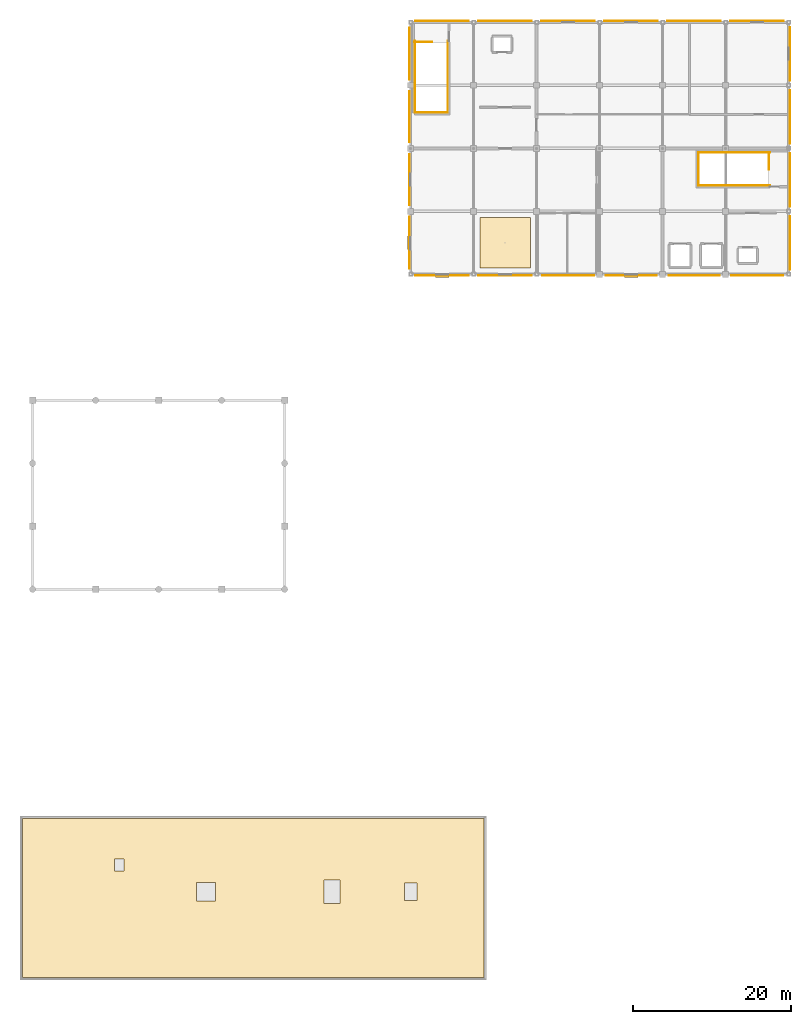
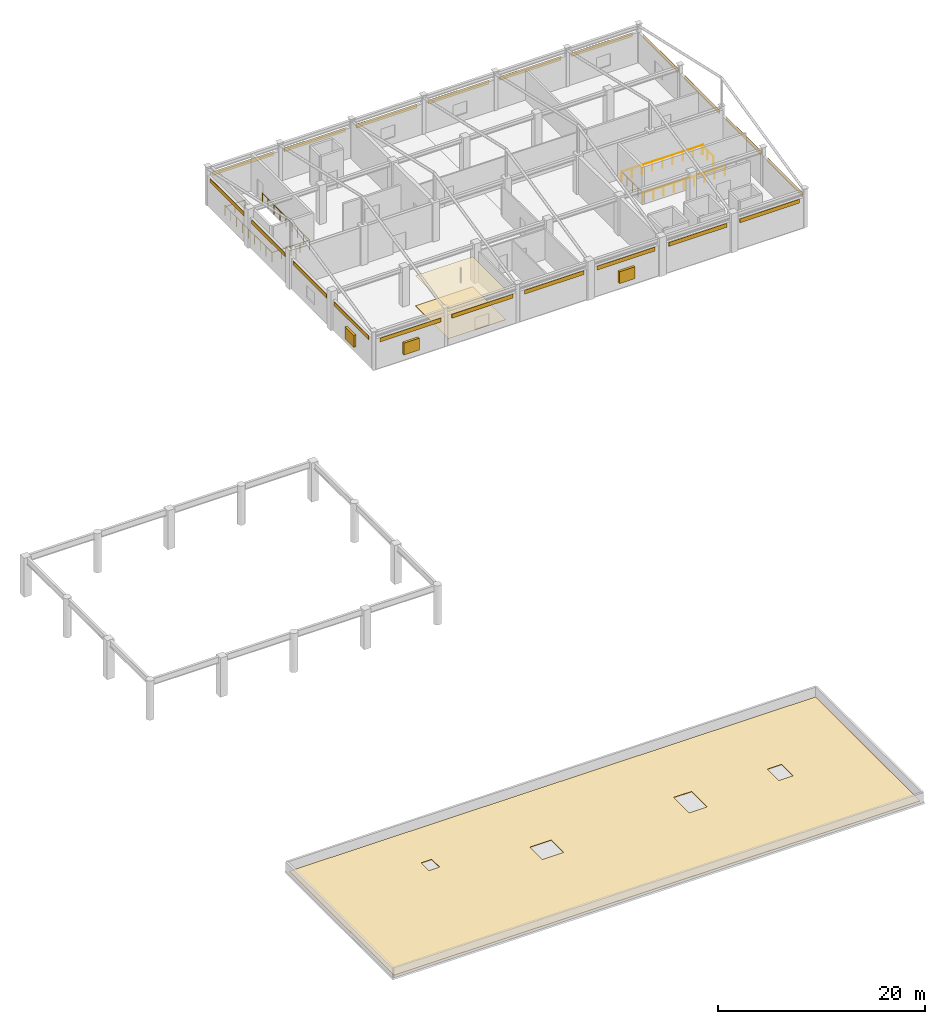
# One storey, part 16 of 16: 23 coverings, 8 railings, 3 shading devices.
"""IFC4 building model written with IfcOpenShell, lengths in metres."""

from ifc_helpers import new_model, si_unit, direction, frame, origin, origin_2d, place, context, subcontext, project, spatial, polyline, rectangle, circle, outline, extrude, material, layer, layer_set, type_object, element, save


model = new_model("IFC4")

# Units and contexts
model_context = context("Model", 3, precision=1e-05, world=origin(), true_north=direction((0.0, 1.0)))
body_context = subcontext(model_context, "Body", "Model", "MODEL_VIEW")
ifc_project = project(units=[si_unit("LENGTHUNIT", "METRE"), si_unit("AREAUNIT", "SQUARE_METRE"), si_unit("VOLUMEUNIT", "CUBIC_METRE"), si_unit("PLANEANGLEUNIT", "RADIAN"), si_unit("MASSUNIT", "GRAM", prefix="KILO")], contexts=[model_context])

# Site, building, storey
site_placement = place(None, origin())
site = spatial("IfcSite", under=ifc_project, at=site_placement, CompositionType="ELEMENT")
building_placement = place(site_placement, origin())
building = spatial("IfcBuilding", under=site, at=building_placement, Name="Solmirada Galleria", CompositionType="ELEMENT")
storey_placement = place(building_placement, frame((0.0, 0.0, 32.89990234375)))
storey = spatial("IfcBuildingStorey", under=building, at=storey_placement, Name="L07", CompositionType="ELEMENT", Elevation=32.89990234375)

# Coverings
ifc_material_1 = material(Name="Perforated acoustic mineral-fibre ceiling")
ifc_layer_1 = layer(ifc_material_1, 0.02490234375)
ifc_layer_set_1 = layer_set([ifc_layer_1], Name="Perforated acoustic mineral-fibre ceiling")
covering_type_1 = type_object("IfcCoveringType", Name="COV-CEIL-ACOUST", PredefinedType="CEILING", material=ifc_layer_set_1)
covering_1_placement = place(storey_placement, frame((0.0, 0.0, 3.550048828125)))
element("IfcCovering", 1, at=covering_1_placement, inside=storey, type_object=covering_type_1, Name="Acoustic ceiling panel L07-3", PredefinedType="CEILING", context=body_context, shape_type="SweptSolid", body=[
    extrude(outline(polyline([(136.800048828125, 88.800048828125), (143.199951171875, 88.800048828125), (143.199951171875, 95.199951171875), (136.800048828125, 95.199951171875), (136.800048828125, 88.800048828125)])), origin(), (0.0, 0.0, 1.0), 0.025146484375),
])
ifc_material_2 = material(Name="Limestone cladding panels", Category="masonry")
ifc_layer_2 = layer(ifc_material_2, 0.044921875)
ifc_layer_set_2 = layer_set([ifc_layer_2], Name="Limestone cladding panels")
covering_type_2 = type_object("IfcCoveringType", Name="COV-CLAD-LIME", PredefinedType="CLADDING", material=ifc_layer_set_2)
covering_2_placement = place(storey_placement, frame((127.842529296875, 100.0, 3.090087890625), z_axis=(0.0, 0.0, 1.0), x_axis=(0.0, 1.0, 0.0)))
element("IfcCovering", 2, at=covering_2_placement, inside=storey, type_object=covering_type_2, Name="Postmodern facade cladding L07-413", PredefinedType="CLADDING", context=body_context, shape_type="SweptSolid", body=[
    extrude(rectangle(XDim=6.449951171875, YDim=0.044921875, at=origin_2d()), origin(), (0.0, 0.0, 1.0), 0.4599609375),
])
covering_3_placement = place(storey_placement, frame((127.842529296875, 116.0, 3.090087890625), z_axis=(0.0, 0.0, 1.0), x_axis=(0.0, 1.0, 0.0)))
element("IfcCovering", 3, at=covering_3_placement, inside=storey, type_object=covering_type_2, Name="Postmodern facade cladding L07-415", PredefinedType="CLADDING", context=body_context, shape_type="SweptSolid", body=[
    extrude(rectangle(XDim=6.6220703125, YDim=0.044921875, at=origin_2d()), origin(), (0.0, 0.0, 1.0), 0.4599609375),
])
for number, where, z_axis, x_axis, name in (
    (4, (140.0, 120.157470703125, 3.090087890625), (0.0, 0.0, 1.0), (1.0, 0.0, 0.0), "Postmodern facade cladding L07-417"),
    (5, (156.0, 120.157470703125, 3.090087890625), (0.0, 0.0, 1.0), (1.0, 0.0, 0.0), "Postmodern facade cladding L07-419"),
    (6, (172.0, 120.157470703125, 3.090087890625), (0.0, 0.0, 1.0), (1.0, 0.0, 0.0), "Postmodern facade cladding L07-421"),
    (7, (176.157470703125, 108.0, 3.090087890625), (0.0, 0.0, 1.0), (0.0, -1.0, 0.0), "Postmodern facade cladding L07-423"),
    (8, (176.157470703125, 92.0, 3.090087890625), (0.0, 0.0, 1.0), (0.0, -1.0, 0.0), "Postmodern facade cladding L07-425"),
):
    element("IfcCovering", number, at=place(storey_placement, frame(where, z_axis=z_axis, x_axis=x_axis)), inside=storey, type_object=covering_type_2, Name=name, PredefinedType="CLADDING", context=body_context, shape_type="SweptSolid", body=[
        extrude(rectangle(XDim=6.7939453125, YDim=0.044921875, at=origin_2d()), origin(), (0.0, 0.0, 1.0), 0.4599609375),
    ])
covering_4_placement = place(storey_placement, frame((164.0, 87.842529296875, 3.090087890625), z_axis=(0.0, 0.0, 1.0), x_axis=(-1.0, 0.0, 0.0)))
element("IfcCovering", 9, at=covering_4_placement, inside=storey, type_object=covering_type_2, Name="Postmodern facade cladding L07-427", PredefinedType="CLADDING", context=body_context, shape_type="SweptSolid", body=[
    extrude(rectangle(XDim=6.449951171875, YDim=0.044921875, at=origin_2d()), origin(), (0.0, 0.0, 1.0), 0.4599609375),
])
covering_5_placement = place(storey_placement, frame((148.0, 87.842529296875, 3.090087890625), z_axis=(0.0, 0.0, 1.0), x_axis=(-1.0, 0.0, 0.0)))
element("IfcCovering", 10, at=covering_5_placement, inside=storey, type_object=covering_type_2, Name="Postmodern facade cladding L07-429", PredefinedType="CLADDING", context=body_context, shape_type="SweptSolid", body=[
    extrude(rectangle(XDim=6.6220703125, YDim=0.044921875, at=origin_2d()), origin(), (0.0, 0.0, 1.0), 0.4599609375),
])
covering_6_placement = place(storey_placement, frame((132.0, 87.842529296875, 3.090087890625), z_axis=(0.0, 0.0, 1.0), x_axis=(-1.0, 0.0, 0.0)))
element("IfcCovering", 11, at=covering_6_placement, inside=storey, type_object=covering_type_2, Name="Postmodern facade cladding L07-431", PredefinedType="CLADDING", context=body_context, shape_type="SweptSolid", body=[
    extrude(rectangle(XDim=6.7939453125, YDim=0.044921875, at=origin_2d()), origin(), (0.0, 0.0, 1.0), 0.4599609375),
])
ifc_material_3 = material(Name="Glazed terracotta facade panels", Category="masonry")
ifc_layer_3 = layer(ifc_material_3, 0.0400390625)
ifc_layer_set_3 = layer_set([ifc_layer_3], Name="Glazed terracotta facade panels")
covering_type_3 = type_object("IfcCoveringType", Name="COV-CLAD-TERRA", PredefinedType="CLADDING", material=ifc_layer_set_3)
covering_7_placement = place(storey_placement, frame((127.844970703125, 92.0, 3.090087890625), z_axis=(0.0, 0.0, 1.0), x_axis=(0.0, 1.0, 0.0)))
element("IfcCovering", 12, at=covering_7_placement, inside=storey, type_object=covering_type_3, Name="Postmodern facade cladding L07-412", PredefinedType="CLADDING", context=body_context, shape_type="SweptSolid", body=[
    extrude(rectangle(XDim=6.6220703125, YDim=0.0400390625, at=origin_2d()), origin(), (0.0, 0.0, 1.0), 0.4599609375),
])
covering_8_placement = place(storey_placement, frame((127.844970703125, 108.0, 3.090087890625), z_axis=(0.0, 0.0, 1.0), x_axis=(0.0, 1.0, 0.0)))
element("IfcCovering", 13, at=covering_8_placement, inside=storey, type_object=covering_type_3, Name="Postmodern facade cladding L07-414", PredefinedType="CLADDING", context=body_context, shape_type="SweptSolid", body=[
    extrude(rectangle(XDim=6.449951171875, YDim=0.0400390625, at=origin_2d()), origin(), (0.0, 0.0, 1.0), 0.4599609375),
])
for number, where, z_axis, x_axis, name in (
    (14, (132.0, 120.155029296875, 3.090087890625), (0.0, 0.0, 1.0), (1.0, 0.0, 0.0), "Postmodern facade cladding L07-416"),
    (15, (148.0, 120.155029296875, 3.090087890625), (0.0, 0.0, 1.0), (1.0, 0.0, 0.0), "Postmodern facade cladding L07-418"),
    (16, (164.0, 120.155029296875, 3.090087890625), (0.0, 0.0, 1.0), (1.0, 0.0, 0.0), "Postmodern facade cladding L07-420"),
    (17, (176.155029296875, 116.0, 3.090087890625), (0.0, 0.0, 1.0), (0.0, -1.0, 0.0), "Postmodern facade cladding L07-422"),
    (18, (176.155029296875, 100.0, 3.090087890625), (0.0, 0.0, 1.0), (0.0, -1.0, 0.0), "Postmodern facade cladding L07-424"),
):
    element("IfcCovering", number, at=place(storey_placement, frame(where, z_axis=z_axis, x_axis=x_axis)), inside=storey, type_object=covering_type_3, Name=name, PredefinedType="CLADDING", context=body_context, shape_type="SweptSolid", body=[
        extrude(rectangle(XDim=6.7939453125, YDim=0.0400390625, at=origin_2d()), origin(), (0.0, 0.0, 1.0), 0.4599609375),
    ])
covering_9_placement = place(storey_placement, frame((172.0, 87.844970703125, 3.090087890625), z_axis=(0.0, 0.0, 1.0), x_axis=(-1.0, 0.0, 0.0)))
element("IfcCovering", 19, at=covering_9_placement, inside=storey, type_object=covering_type_3, Name="Postmodern facade cladding L07-426", PredefinedType="CLADDING", context=body_context, shape_type="SweptSolid", body=[
    extrude(rectangle(XDim=6.6220703125, YDim=0.0400390625, at=origin_2d()), origin(), (0.0, 0.0, 1.0), 0.4599609375),
])
covering_10_placement = place(storey_placement, frame((156.0, 87.844970703125, 3.090087890625), z_axis=(0.0, 0.0, 1.0), x_axis=(-1.0, 0.0, 0.0)))
element("IfcCovering", 20, at=covering_10_placement, inside=storey, type_object=covering_type_3, Name="Postmodern facade cladding L07-428", PredefinedType="CLADDING", context=body_context, shape_type="SweptSolid", body=[
    extrude(rectangle(XDim=6.449951171875, YDim=0.0400390625, at=origin_2d()), origin(), (0.0, 0.0, 1.0), 0.4599609375),
])
covering_11_placement = place(storey_placement, frame((140.0, 87.844970703125, 3.090087890625), z_axis=(0.0, 0.0, 1.0), x_axis=(-1.0, 0.0, 0.0)))
element("IfcCovering", 21, at=covering_11_placement, inside=storey, type_object=covering_type_3, Name="Postmodern facade cladding L07-430", PredefinedType="CLADDING", context=body_context, shape_type="SweptSolid", body=[
    extrude(rectangle(XDim=6.7939453125, YDim=0.0400390625, at=origin_2d()), origin(), (0.0, 0.0, 1.0), 0.4599609375),
])
ifc_material_4 = material(Name="Polished terrazzo and porcelain tile flooring")
ifc_layer_4 = layer(ifc_material_4, 0.030029296875)
ifc_layer_set_4 = layer_set([ifc_layer_4], Name="Polished terrazzo and porcelain tile flooring")
covering_type_4 = type_object("IfcCoveringType", Name="COV-FLOOR-TERRAZ", PredefinedType="FLOORING", material=ifc_layer_set_4)
covering_12_placement = place(storey_placement, origin())
element("IfcCovering", 22, at=covering_12_placement, inside=storey, type_object=covering_type_4, Name="Terrazzo floor finish L07-3", PredefinedType="FLOORING", context=body_context, shape_type="SweptSolid", body=[
    extrude(outline(polyline([(136.800048828125, 88.800048828125), (143.199951171875, 88.800048828125), (143.199951171875, 95.199951171875), (136.800048828125, 95.199951171875), (136.800048828125, 88.800048828125)])), origin(), (0.0, 0.0, 1.0), 0.030029296875),
])
ifc_material_5 = material(Name="Insulated TPO and standing-seam roofing membrane")
ifc_layer_5 = layer(ifc_material_5, 0.06005859375)
ifc_layer_set_5 = layer_set([ifc_layer_5], Name="Insulated TPO and standing-seam roofing membrane")
covering_type_5 = type_object("IfcCoveringType", Name="COV-ROOF-MEM", PredefinedType="ROOFING", material=ifc_layer_set_5)
covering_13_placement = place(storey_placement, origin())
element("IfcCovering", 23, at=covering_13_placement, inside=storey, type_object=covering_type_5, Name="Insulated roof membrane ROOF-SOUTH-MAIN", PredefinedType="ROOFING", context=body_context, shape_type="SweptSolid", body=[
    extrude(outline(polyline([(78.699951171875, -1.300048828125), (137.300048828125, -1.300048828125), (137.300048828125, 18.89990234375), (78.699951171875, 18.89990234375), (78.699951171875, -1.300048828125)]), holes=[polyline([(100.800048828125, 8.39990234375), (103.199951171875, 8.39990234375), (103.199951171875, 10.800048828125), (100.800048828125, 10.800048828125), (100.800048828125, 8.39990234375)]), polyline([(117.0, 8.10009765625), (119.0, 8.10009765625), (119.0, 11.10009765625), (117.0, 11.10009765625), (117.0, 8.10009765625)]), polyline([(127.199951171875, 8.5), (128.800048828125, 8.5), (128.800048828125, 10.699951171875), (127.199951171875, 10.699951171875), (127.199951171875, 8.5)]), polyline([(90.39990234375, 12.25), (91.60009765625, 12.25), (91.60009765625, 13.75), (90.39990234375, 13.75), (90.39990234375, 12.25)])]), origin(), (0.0, 0.0, 1.0), 0.06005859375),
])

# Railings
ifc_material_6 = material(Name="Painted steel tubular railing", Category="steel")
railing_type = type_object("IfcRailingType", Name="RAIL-STAIR-GUARD", PredefinedType="GUARDRAIL", material=ifc_material_6)
railing_1_placement = place(storey_placement, frame((128.5, 117.5, 0.0)))
element("IfcRailing", 24, at=railing_1_placement, inside=storey, type_object=railing_type, Name="L07 ST3 top well guard 1", PredefinedType="GUARDRAIL", context=body_context, shape_type="SweptSolid", body=[
    extrude(circle(Radius=0.02392578125, at=origin_2d()), frame((0.0, 0.0, 1.076171875), z_axis=(1.0, 0.0, 0.0), x_axis=(0.0, 1.0, 0.0)), (0.0, 0.0, 1.0), 2.199951171875),
    extrude(circle(Radius=0.02099609375, at=origin_2d()), origin(), (0.0, 0.0, 1.0), 1.048095703125),
    extrude(circle(Radius=0.02099609375, at=origin_2d()), frame((1.10009765625, 0.0, 0.0)), (0.0, 0.0, 1.0), 1.048095703125),
    extrude(circle(Radius=0.02099609375, at=origin_2d()), frame((2.199951171875, 0.0, 0.0)), (0.0, 0.0, 1.0), 1.048095703125),
])
railing_2_placement = place(storey_placement, frame((132.7099609375, 117.64990234375, 0.0)))
element("IfcRailing", 25, at=railing_2_placement, inside=storey, type_object=railing_type, Name="Stair ST3 well edge guard L07-1", PredefinedType="GUARDRAIL", context=body_context, shape_type="SweptSolid", body=[
    extrude(circle(Radius=0.02392578125, at=origin_2d()), frame((0.0, 0.0, 1.09619140625), z_axis=(0.0, -1.0, 0.0), x_axis=(1.0, 0.0, 0.0)), (0.0, 0.0, 1.0), 9.10986328125),
    extrude(circle(Radius=0.02099609375, at=origin_2d()), origin(), (0.0, 0.0, 1.0), 1.068115234375),
    extrude(circle(Radius=0.02099609375, at=origin_2d()), frame((0.0, -1.138671875, 0.0)), (0.0, 0.0, 1.0), 1.068115234375),
    extrude(circle(Radius=0.02099609375, at=origin_2d()), frame((0.0, -2.27734375, 0.0)), (0.0, 0.0, 1.0), 1.068115234375),
    extrude(circle(Radius=0.02099609375, at=origin_2d()), frame((0.0, -3.416259765625, 0.0)), (0.0, 0.0, 1.0), 1.068115234375),
    extrude(circle(Radius=0.02099609375, at=origin_2d()), frame((0.0, -4.554931640625, 0.0)), (0.0, 0.0, 1.0), 1.068115234375),
    extrude(circle(Radius=0.02099609375, at=origin_2d()), frame((0.0, -5.693603515625, 0.0)), (0.0, 0.0, 1.0), 1.068115234375),
    extrude(circle(Radius=0.02099609375, at=origin_2d()), frame((0.0, -6.83251953125, 0.0)), (0.0, 0.0, 1.0), 1.068115234375),
    extrude(circle(Radius=0.02099609375, at=origin_2d()), frame((0.0, -7.97119140625, 0.0)), (0.0, 0.0, 1.0), 1.068115234375),
    extrude(circle(Radius=0.02099609375, at=origin_2d()), frame((0.0, -9.10986328125, 0.0)), (0.0, 0.0, 1.0), 1.068115234375),
])
railing_3_placement = place(storey_placement, frame((132.7099609375, 108.5400390625, 0.0)))
element("IfcRailing", 26, at=railing_3_placement, inside=storey, type_object=railing_type, Name="Stair ST3 well edge guard L07-2", PredefinedType="GUARDRAIL", context=body_context, shape_type="SweptSolid", body=[
    extrude(circle(Radius=0.02392578125, at=origin_2d()), frame((0.0, 0.0, 1.09619140625), z_axis=(-1.0, 0.0, 0.0), x_axis=(0.0, -1.0, 0.0)), (0.0, 0.0, 1.0), 4.169921875),
    extrude(circle(Radius=0.02099609375, at=origin_2d()), origin(), (0.0, 0.0, 1.0), 1.068115234375),
    extrude(circle(Radius=0.02099609375, at=origin_2d()), frame((-1.04248046875, 0.0, 0.0)), (0.0, 0.0, 1.0), 1.068115234375),
    extrude(circle(Radius=0.02099609375, at=origin_2d()), frame((-2.0849609375, 0.0, 0.0)), (0.0, 0.0, 1.0), 1.068115234375),
    extrude(circle(Radius=0.02099609375, at=origin_2d()), frame((-3.12744140625, 0.0, 0.0)), (0.0, 0.0, 1.0), 1.068115234375),
    extrude(circle(Radius=0.02099609375, at=origin_2d()), frame((-4.169921875, 0.0, 0.0)), (0.0, 0.0, 1.0), 1.068115234375),
])
railing_4_placement = place(storey_placement, frame((128.5400390625, 108.5400390625, 0.0)))
element("IfcRailing", 27, at=railing_4_placement, inside=storey, type_object=railing_type, Name="Stair ST3 well edge guard L07-3", PredefinedType="GUARDRAIL", context=body_context, shape_type="SweptSolid", body=[
    extrude(circle(Radius=0.02392578125, at=origin_2d()), frame((0.0, 0.0, 1.09619140625), z_axis=(0.0, 1.0, 0.0), x_axis=(-1.0, 0.0, 0.0)), (0.0, 0.0, 1.0), 9.10986328125),
    extrude(circle(Radius=0.02099609375, at=origin_2d()), origin(), (0.0, 0.0, 1.0), 1.068115234375),
    extrude(circle(Radius=0.02099609375, at=origin_2d()), frame((0.0, 1.138671875, 0.0)), (0.0, 0.0, 1.0), 1.068115234375),
    extrude(circle(Radius=0.02099609375, at=origin_2d()), frame((0.0, 2.27734375, 0.0)), (0.0, 0.0, 1.0), 1.068115234375),
    extrude(circle(Radius=0.02099609375, at=origin_2d()), frame((0.0, 3.416259765625, 0.0)), (0.0, 0.0, 1.0), 1.068115234375),
    extrude(circle(Radius=0.02099609375, at=origin_2d()), frame((0.0, 4.554931640625, 0.0)), (0.0, 0.0, 1.0), 1.068115234375),
    extrude(circle(Radius=0.02099609375, at=origin_2d()), frame((0.0, 5.693603515625, 0.0)), (0.0, 0.0, 1.0), 1.068115234375),
    extrude(circle(Radius=0.02099609375, at=origin_2d()), frame((0.0, 6.83251953125, 0.0)), (0.0, 0.0, 1.0), 1.068115234375),
    extrude(circle(Radius=0.02099609375, at=origin_2d()), frame((0.0, 7.97119140625, 0.0)), (0.0, 0.0, 1.0), 1.068115234375),
    extrude(circle(Radius=0.02099609375, at=origin_2d()), frame((0.0, 9.10986328125, 0.0)), (0.0, 0.0, 1.0), 1.068115234375),
])
railing_5_placement = place(storey_placement, frame((173.5, 103.5, 0.0)))
element("IfcRailing", 28, at=railing_5_placement, inside=storey, type_object=railing_type, Name="L07 ST4 top well guard 1", PredefinedType="GUARDRAIL", context=body_context, shape_type="SweptSolid", body=[
    extrude(circle(Radius=0.02392578125, at=origin_2d()), frame((0.0, 0.0, 1.076171875), z_axis=(0.0, -1.0, 0.0), x_axis=(1.0, 0.0, 0.0)), (0.0, 0.0, 1.0), 2.199951171875),
    extrude(circle(Radius=0.02099609375, at=origin_2d()), origin(), (0.0, 0.0, 1.0), 1.048095703125),
    extrude(circle(Radius=0.02099609375, at=origin_2d()), frame((0.0, -1.10009765625, 0.0)), (0.0, 0.0, 1.0), 1.048095703125),
    extrude(circle(Radius=0.02099609375, at=origin_2d()), frame((0.0, -2.199951171875, 0.0)), (0.0, 0.0, 1.0), 1.048095703125),
])
railing_6_placement = place(storey_placement, frame((173.6201171875, 99.2900390625, 0.0)))
element("IfcRailing", 29, at=railing_6_placement, inside=storey, type_object=railing_type, Name="Stair ST4 well edge guard L07-1", PredefinedType="GUARDRAIL", context=body_context, shape_type="SweptSolid", body=[
    extrude(circle(Radius=0.02392578125, at=origin_2d()), frame((0.0, 0.0, 1.09619140625), z_axis=(-1.0, 0.0, 0.0), x_axis=(0.0, -1.0, 0.0)), (0.0, 0.0, 1.0), 9.080078125),
    extrude(circle(Radius=0.02099609375, at=origin_2d()), origin(), (0.0, 0.0, 1.0), 1.068115234375),
    extrude(circle(Radius=0.02099609375, at=origin_2d()), frame((-1.135009765625, 0.0, 0.0)), (0.0, 0.0, 1.0), 1.068115234375),
    extrude(circle(Radius=0.02099609375, at=origin_2d()), frame((-2.27001953125, 0.0, 0.0)), (0.0, 0.0, 1.0), 1.068115234375),
    extrude(circle(Radius=0.02099609375, at=origin_2d()), frame((-3.405029296875, 0.0, 0.0)), (0.0, 0.0, 1.0), 1.068115234375),
    extrude(circle(Radius=0.02099609375, at=origin_2d()), frame((-4.5400390625, 0.0, 0.0)), (0.0, 0.0, 1.0), 1.068115234375),
    extrude(circle(Radius=0.02099609375, at=origin_2d()), frame((-5.675048828125, 0.0, 0.0)), (0.0, 0.0, 1.0), 1.068115234375),
    extrude(circle(Radius=0.02099609375, at=origin_2d()), frame((-6.81005859375, 0.0, 0.0)), (0.0, 0.0, 1.0), 1.068115234375),
    extrude(circle(Radius=0.02099609375, at=origin_2d()), frame((-7.945068359375, 0.0, 0.0)), (0.0, 0.0, 1.0), 1.068115234375),
    extrude(circle(Radius=0.02099609375, at=origin_2d()), frame((-9.080078125, 0.0, 0.0)), (0.0, 0.0, 1.0), 1.068115234375),
])
railing_7_placement = place(storey_placement, frame((164.5400390625, 99.2900390625, 0.0)))
element("IfcRailing", 30, at=railing_7_placement, inside=storey, type_object=railing_type, Name="Stair ST4 well edge guard L07-2", PredefinedType="GUARDRAIL", context=body_context, shape_type="SweptSolid", body=[
    extrude(circle(Radius=0.02392578125, at=origin_2d()), frame((0.0, 0.0, 1.09619140625), z_axis=(0.0, 1.0, 0.0), x_axis=(-1.0, 0.0, 0.0)), (0.0, 0.0, 1.0), 4.169921875),
    extrude(circle(Radius=0.02099609375, at=origin_2d()), origin(), (0.0, 0.0, 1.0), 1.068115234375),
    extrude(circle(Radius=0.02099609375, at=origin_2d()), frame((0.0, 1.04248046875, 0.0)), (0.0, 0.0, 1.0), 1.068115234375),
    extrude(circle(Radius=0.02099609375, at=origin_2d()), frame((0.0, 2.0849609375, 0.0)), (0.0, 0.0, 1.0), 1.068115234375),
    extrude(circle(Radius=0.02099609375, at=origin_2d()), frame((0.0, 3.12744140625, 0.0)), (0.0, 0.0, 1.0), 1.068115234375),
    extrude(circle(Radius=0.02099609375, at=origin_2d()), frame((0.0, 4.169921875, 0.0)), (0.0, 0.0, 1.0), 1.068115234375),
])
railing_8_placement = place(storey_placement, frame((164.5400390625, 103.4599609375, 0.0)))
element("IfcRailing", 31, at=railing_8_placement, inside=storey, type_object=railing_type, Name="Stair ST4 well edge guard L07-3", PredefinedType="GUARDRAIL", context=body_context, shape_type="SweptSolid", body=[
    extrude(circle(Radius=0.02392578125, at=origin_2d()), frame((0.0, 0.0, 1.09619140625), z_axis=(1.0, 0.0, 0.0), x_axis=(0.0, 1.0, 0.0)), (0.0, 0.0, 1.0), 9.080078125),
    extrude(circle(Radius=0.02099609375, at=origin_2d()), origin(), (0.0, 0.0, 1.0), 1.068115234375),
    extrude(circle(Radius=0.02099609375, at=origin_2d()), frame((1.135009765625, 0.0, 0.0)), (0.0, 0.0, 1.0), 1.068115234375),
    extrude(circle(Radius=0.02099609375, at=origin_2d()), frame((2.27001953125, 0.0, 0.0)), (0.0, 0.0, 1.0), 1.068115234375),
    extrude(circle(Radius=0.02099609375, at=origin_2d()), frame((3.405029296875, 0.0, 0.0)), (0.0, 0.0, 1.0), 1.068115234375),
    extrude(circle(Radius=0.02099609375, at=origin_2d()), frame((4.5400390625, 0.0, 0.0)), (0.0, 0.0, 1.0), 1.068115234375),
    extrude(circle(Radius=0.02099609375, at=origin_2d()), frame((5.675048828125, 0.0, 0.0)), (0.0, 0.0, 1.0), 1.068115234375),
    extrude(circle(Radius=0.02099609375, at=origin_2d()), frame((6.81005859375, 0.0, 0.0)), (0.0, 0.0, 1.0), 1.068115234375),
    extrude(circle(Radius=0.02099609375, at=origin_2d()), frame((7.945068359375, 0.0, 0.0)), (0.0, 0.0, 1.0), 1.068115234375),
    extrude(circle(Radius=0.02099609375, at=origin_2d()), frame((9.080078125, 0.0, 0.0)), (0.0, 0.0, 1.0), 1.068115234375),
])

# Shading devices
ifc_material_7 = material(Name="Extruded aluminium storm louvres", Category="aluminium")
shading_device_type = type_object("IfcShadingDeviceType", Name="SHD-JALOUSIE", PredefinedType="JALOUSIE", material=ifc_material_7)
for number, where, z_axis, x_axis, name in (
    (32, (127.735107421875, 92.0, 0.800048828125), (0.0, 0.0, 1.0), (0.0, 1.0, 0.0), "Hurricane storm jalousie louvre 116"),
    (33, (156.0, 87.735107421875, 0.800048828125), (0.0, 0.0, 1.0), (-1.0, 0.0, 0.0), "Hurricane storm jalousie louvre 117"),
    (34, (132.0, 87.735107421875, 0.800048828125), (0.0, 0.0, 1.0), (-1.0, 0.0, 0.0), "Hurricane storm jalousie louvre 118"),
):
    element("IfcShadingDevice", number, at=place(storey_placement, frame(where, z_axis=z_axis, x_axis=x_axis)), inside=storey, type_object=shading_device_type, Name=name, PredefinedType="JALOUSIE", context=body_context, shape_type="SweptSolid", body=[
        extrude(rectangle(XDim=1.7099609375, YDim=0.260009765625, at=origin_2d()), origin(), (0.0, 0.0, 1.0), 1.39990234375),
    ])

save(model, "model.ifc")
